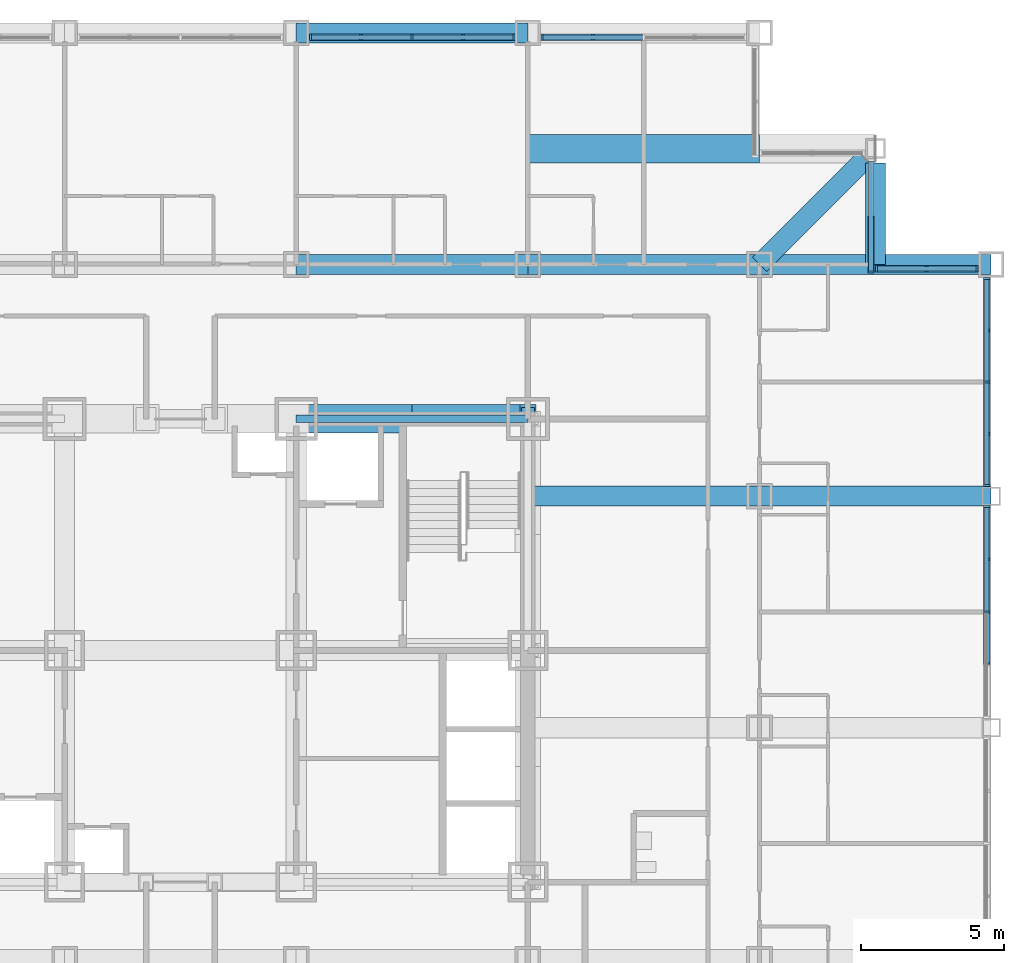
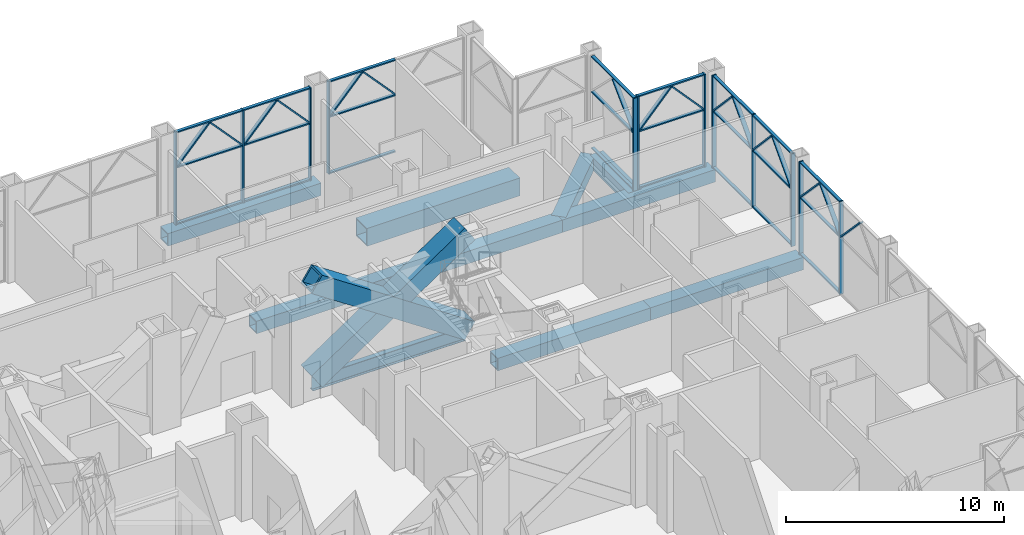
# One storey, part 8 of 26: 54 members, 10 beams, 6 elements without a shape of their own.
"""IFC4 building model written with IfcOpenShell, lengths in metres."""

from ifc_helpers import new_model, si_unit, direction, frame, origin, origin_2d, place, context, subcontext, project, spatial, rectangle, hollow_rectangle, i_section, extrude, material, material_profile, profile_set, type_object, element, aggregate, save


model = new_model("IFC4")

# Units and contexts
model_context = context("Model", 3, precision=1e-05, world=origin(), true_north=direction((0.0, 1.0)))
body_context = subcontext(model_context, "Body", "Model", "MODEL_VIEW")
ifc_project = project(units=[si_unit("LENGTHUNIT", "METRE"), si_unit("AREAUNIT", "SQUARE_METRE"), si_unit("VOLUMEUNIT", "CUBIC_METRE"), si_unit("PLANEANGLEUNIT", "RADIAN"), si_unit("MASSUNIT", "GRAM", prefix="KILO")], contexts=[model_context])

# Site, building, storey
site_placement = place(None, origin())
site = spatial("IfcSite", under=ifc_project, at=site_placement, CompositionType="ELEMENT")
building_placement = place(site_placement, origin())
building = spatial("IfcBuilding", under=site, at=building_placement, Name="Kopane Lantern Tower", CompositionType="ELEMENT")
storey_placement = place(building_placement, frame((0.0, 0.0, 98.0)))
storey = spatial("IfcBuildingStorey", under=building, at=storey_placement, Name="L24", CompositionType="ELEMENT", Elevation=98.0)

# Members
ifc_material_1 = material(Name="Steel S355JR", Category="steel")
ifc_material_profile_1 = material_profile(ifc_material_1, hollow_rectangle(XDim=1.0, YDim=1.0, WallThickness=0.10009765625, at=origin_2d()), Name="BOX 1000x1000x100")
ifc_profile_set_1 = profile_set([ifc_material_profile_1], Name="Steel S355JR")
member_type_1 = type_object("IfcMemberType", Name="BRACE BOX 1000x1000x100", PredefinedType="BRACE", material=ifc_profile_set_1)
for number, where, z_axis, x_axis, name in (
    (1, (32.39990234375, 40.5, -0.25), (0.830159256911, 0.0, 0.557526329571), (0.0, 1.0, 0.0), "Core brace L24"),
    (2, (40.5, 40.5, -0.25), (-0.830159256911, 0.0, 0.557526329571), (0.0, -1.0, 0.0), "Core brace L24"),
):
    element("IfcMember", number, at=place(storey_placement, frame(where, z_axis=z_axis, x_axis=x_axis)), inside=storey, type_object=member_type_1, Name=name, PredefinedType="BRACE", context=body_context, shape_type="SweptSolid", body=[
        extrude(hollow_rectangle(XDim=1.0, YDim=1.0, WallThickness=0.10009765625, at=origin_2d()), origin(), (0.0, 0.0, 1.0), 9.75732421875),
    ])

# Beams
ifc_material_2 = material(Name="Steel S355JR", Category="steel")
ifc_material_profile_2 = material_profile(ifc_material_2, hollow_rectangle(XDim=0.699951171875, YDim=0.699951171875, WallThickness=0.06005859375, at=origin_2d()), Name="BOX 700x700x60")
ifc_profile_set_2 = profile_set([ifc_material_profile_2], Name="Steel S355JR")
beam_type_1 = type_object("IfcBeamType", Name="CORNER TIE BEAM BOX 700x700x60", PredefinedType="BEAM", material=ifc_profile_set_2)
beam_1_placement = place(storey_placement, frame((52.29638671875, 49.596435546875, -0.60009765625), z_axis=(-0.707083429301, -0.707130132301, 0.0), x_axis=(0.707130132301, -0.707083429301, 0.0)))
element("IfcBeam", 3, at=beam_1_placement, inside=storey, type_object=beam_type_1, Name="Corner Tie Beam L24", PredefinedType="BEAM", context=body_context, shape_type="SweptSolid", body=[
    extrude(hollow_rectangle(XDim=0.699951171875, YDim=0.699951171875, WallThickness=0.06005859375, at=origin_2d()), origin(), (0.0, 0.0, 1.0), 5.2275390625),
])
ifc_material_3 = material(Name="Steel S355JR", Category="steel")
ifc_material_profile_3 = material_profile(ifc_material_3, hollow_rectangle(XDim=0.699951171875, YDim=0.699951171875, WallThickness=0.06005859375, at=origin_2d()), Name="BOX 700x700x60")
ifc_profile_set_3 = profile_set([ifc_material_profile_3], Name="Steel S355JR")
beam_type_2 = type_object("IfcBeamType", Name="EDGE BEAM BOX 700x700x60", PredefinedType="BEAM", material=ifc_profile_set_3)
beam_2_placement = place(storey_placement, frame((52.64990234375, 49.449951171875, -0.60009765625), z_axis=(0.0, -1.0, 0.0), x_axis=(1.0, 0.0, 0.0)))
element("IfcBeam", 4, at=beam_2_placement, inside=storey, type_object=beam_type_2, Name="Edge Beam L24", PredefinedType="BEAM", context=body_context, shape_type="SweptSolid", body=[
    extrude(hollow_rectangle(XDim=0.699951171875, YDim=0.699951171875, WallThickness=0.06005859375, at=origin_2d()), origin(), (0.0, 0.0, 1.0), 3.550048828125),
])
ifc_material_4 = material(Name="Steel S355JR", Category="steel")
ifc_material_profile_4 = material_profile(ifc_material_4, hollow_rectangle(XDim=0.699951171875, YDim=0.699951171875, WallThickness=0.06005859375, at=origin_2d()), Name="BOX 700x700x60")
ifc_profile_set_4 = profile_set([ifc_material_profile_4], Name="Steel S355JR")
beam_type_3 = type_object("IfcBeamType", Name="GIRDER BOX 700x700x60", PredefinedType="BEAM", material=ifc_profile_set_4)
for number, where, z_axis, x_axis, name in (
    (5, (32.39990234375, 45.89990234375, -0.60009765625), (1.0, 0.0, 0.0), (0.0, 1.0, 0.0), "Girder L24"),
    (6, (32.39990234375, 54.0, -0.60009765625), (1.0, 0.0, 0.0), (0.0, 1.0, 0.0), "Girder L24"),
    (7, (40.5, 37.800048828125, -0.60009765625), (1.0, 0.0, 0.0), (0.0, 1.0, 0.0), "Girder L24"),
    (8, (40.5, 45.89990234375, -0.60009765625), (1.0, 0.0, 0.0), (0.0, 1.0, 0.0), "Girder L24"),
):
    element("IfcBeam", number, at=place(storey_placement, frame(where, z_axis=z_axis, x_axis=x_axis)), inside=storey, type_object=beam_type_3, Name=name, PredefinedType="BEAM", context=body_context, shape_type="SweptSolid", body=[
        extrude(hollow_rectangle(XDim=0.699951171875, YDim=0.699951171875, WallThickness=0.06005859375, at=origin_2d()), origin(), (0.0, 0.0, 1.0), 8.10009765625),
    ])
for number, where, z_axis, x_axis, name in (
    (9, (48.60009765625, 37.800048828125, -0.60009765625), (1.0, 0.0, 0.0), (0.0, 1.0, 0.0), "Girder L24"),
    (10, (48.60009765625, 45.89990234375, -0.60009765625), (1.0, 0.0, 0.0), (0.0, 1.0, 0.0), "Girder L24"),
):
    element("IfcBeam", number, at=place(storey_placement, frame(where, z_axis=z_axis, x_axis=x_axis)), inside=storey, type_object=beam_type_3, Name=name, PredefinedType="BEAM", context=body_context, shape_type="SweptSolid", body=[
        extrude(hollow_rectangle(XDim=0.699951171875, YDim=0.699951171875, WallThickness=0.06005859375, at=origin_2d()), origin(), (0.0, 0.0, 1.0), 8.099853515625),
    ])
ifc_material_5 = material(Name="Steel S355JR", Category="steel")
ifc_material_profile_5 = material_profile(ifc_material_5, i_section(OverallWidth=0.2666015625, OverallDepth=0.76220703125, WebThickness=0.014404296875, FlangeThickness=0.021484375, FilletRadius=0.0166015625, at=origin_2d()), Name="UB 762x267x173")
ifc_profile_set_5 = profile_set([ifc_material_profile_5], Name="Steel S355JR")
beam_type_4 = type_object("IfcBeamType", Name="GIRDER UB 762x267x173", PredefinedType="BEAM", material=ifc_profile_set_5)
beam_3_placement = place(storey_placement, frame((32.39990234375, 40.5, -0.631103515625), z_axis=(1.0, 0.0, 0.0), x_axis=(0.0, 1.0, 0.0)))
element("IfcBeam", 11, at=beam_3_placement, inside=storey, type_object=beam_type_4, Name="Girder L24", PredefinedType="BEAM", context=body_context, shape_type="SweptSolid", body=[
    extrude(i_section(OverallWidth=0.2666015625, OverallDepth=0.76220703125, WebThickness=0.014404296875, FlangeThickness=0.021484375, FilletRadius=0.0166015625, at=origin_2d()), origin(), (0.0, 0.0, 1.0), 8.10009765625),
])

# Curtain wall, members
ifc_material_6 = material(Name="Aluminium and clear glass", Category="aluminium")
curtain_wall_type = type_object("IfcCurtainWallType", Name="CURTAIN WALL CW3 SKY LOBBY", PredefinedType="USERDEFINED", material=ifc_material_6)
curtain_wall_1_placement = place(storey_placement, origin())
curtain_wall_1 = element("IfcCurtainWall", 12, at=curtain_wall_1_placement, inside=storey, type_object=curtain_wall_type, Name="Curtain wall CW3 E L24", ObjectType="CURTAIN WALL", PredefinedType="USERDEFINED")
ifc_material_7 = material(Name="Aluminium", Category="aluminium")
ifc_material_profile_6 = material_profile(ifc_material_7, rectangle(XDim=0.070068359375, YDim=0.22509765625, at=origin_2d()), Name="AL 70x225")
ifc_profile_set_6 = profile_set([ifc_material_profile_6], Name="Aluminium")
member_type_2 = type_object("IfcMemberType", Name="MULLION CW3-M 70x225", PredefinedType="MULLION", material=ifc_profile_set_6)
member_1_placement = place(storey_placement, frame((56.550048828125, 33.75, 0.0), z_axis=(0.0, 0.0, 1.0), x_axis=(0.0, 1.0, 0.0)))
member_1 = element("IfcMember", 13, at=member_1_placement, type_object=member_type_2, Name="CW3 mullion 2", PredefinedType="MULLION", context=body_context, shape_type="SweptSolid", body=[
    extrude(rectangle(XDim=0.070068359375, YDim=0.22509765625, at=origin_2d()), origin(), (0.0, 0.0, 1.0), 5.18994140625),
])
member_2_placement = place(storey_placement, frame((56.550048828125, 37.43505859375, 0.0), z_axis=(0.0, 0.0, 1.0), x_axis=(0.0, 1.0, 0.0)))
member_2 = element("IfcMember", 14, at=member_2_placement, type_object=member_type_2, Name="CW3 mullion 3", PredefinedType="MULLION", context=body_context, shape_type="SweptSolid", body=[
    extrude(rectangle(XDim=0.070068359375, YDim=0.22509765625, at=origin_2d()), origin(), (0.0, 0.0, 1.0), 5.18994140625),
])
member_3_placement = place(storey_placement, frame((56.550048828125, 33.689697265625, 3.2490234375), z_axis=(0.0, -0.689214992379, 0.724556895129), x_axis=(0.0, 0.724556895129, 0.689214992379)))
member_3 = element("IfcMember", 15, at=member_3_placement, type_object=member_type_2, Name="CW3 lancet mullion 1R", PredefinedType="MULLION", context=body_context, shape_type="SweptSolid", body=[
    extrude(rectangle(XDim=0.070068359375, YDim=0.22509765625, at=origin_2d()), origin(), (0.0, 0.0, 1.0), 2.549072265625),
])
member_4_placement = place(storey_placement, frame((56.550048828125, 33.810302734375, 3.2490234375), z_axis=(0.0, 0.689214992379, 0.724556895129), x_axis=(0.0, -0.724556895129, 0.689214992379)))
member_4 = element("IfcMember", 16, at=member_4_placement, type_object=member_type_2, Name="CW3 lancet mullion 2L", PredefinedType="MULLION", context=body_context, shape_type="SweptSolid", body=[
    extrude(rectangle(XDim=0.070068359375, YDim=0.22509765625, at=origin_2d()), origin(), (0.0, 0.0, 1.0), 2.549072265625),
])
member_5_placement = place(storey_placement, frame((56.550048828125, 37.37451171875, 3.2490234375), z_axis=(0.0, -0.689164705863, 0.724604725483), x_axis=(0.0, 0.724604725483, 0.689164705863)))
member_5 = element("IfcMember", 17, at=member_5_placement, type_object=member_type_2, Name="CW3 lancet mullion 2R", PredefinedType="MULLION", context=body_context, shape_type="SweptSolid", body=[
    extrude(rectangle(XDim=0.070068359375, YDim=0.22509765625, at=origin_2d()), origin(), (0.0, 0.0, 1.0), 2.548828125),
])

curtain_wall_2_placement = place(storey_placement, origin())
curtain_wall_2 = element("IfcCurtainWall", 18, at=curtain_wall_2_placement, inside=storey, type_object=curtain_wall_type, Name="Curtain wall CW3 E L24", ObjectType="CURTAIN WALL", PredefinedType="USERDEFINED")
member_6_placement = place(storey_placement, frame((56.550048828125, 38.1650390625, 0.0), z_axis=(0.0, 0.0, 1.0), x_axis=(0.0, 1.0, 0.0)))
member_6 = element("IfcMember", 19, at=member_6_placement, type_object=member_type_2, Name="CW3 mullion 1", PredefinedType="MULLION", context=body_context, shape_type="SweptSolid", body=[
    extrude(rectangle(XDim=0.070068359375, YDim=0.22509765625, at=origin_2d()), origin(), (0.0, 0.0, 1.0), 5.18994140625),
])
member_7_placement = place(storey_placement, frame((56.550048828125, 41.78759765625, 0.0), z_axis=(0.0, 0.0, 1.0), x_axis=(0.0, 1.0, 0.0)))
member_7 = element("IfcMember", 20, at=member_7_placement, type_object=member_type_2, Name="CW3 mullion 2", PredefinedType="MULLION", context=body_context, shape_type="SweptSolid", body=[
    extrude(rectangle(XDim=0.070068359375, YDim=0.22509765625, at=origin_2d()), origin(), (0.0, 0.0, 1.0), 5.18994140625),
])
member_8_placement = place(storey_placement, frame((56.550048828125, 45.409912109375, 0.0), z_axis=(0.0, 0.0, 1.0), x_axis=(0.0, 1.0, 0.0)))
member_8 = element("IfcMember", 21, at=member_8_placement, type_object=member_type_2, Name="CW3 mullion 3", PredefinedType="MULLION", context=body_context, shape_type="SweptSolid", body=[
    extrude(rectangle(XDim=0.070068359375, YDim=0.22509765625, at=origin_2d()), origin(), (0.0, 0.0, 1.0), 5.18994140625),
])
member_9_placement = place(storey_placement, frame((56.550048828125, 38.2255859375, 3.248779296875), z_axis=(0.0, 0.682497183228, 0.73088822325), x_axis=(0.0, -0.73088822325, 0.682497183228)))
member_9 = element("IfcMember", 22, at=member_9_placement, type_object=member_type_2, Name="CW3 lancet mullion 1L", PredefinedType="MULLION", context=body_context, shape_type="SweptSolid", body=[
    extrude(rectangle(XDim=0.070068359375, YDim=0.22509765625, at=origin_2d()), origin(), (0.0, 0.0, 1.0), 2.527587890625),
])
member_10_placement = place(storey_placement, frame((56.550048828125, 41.726806640625, 3.248779296875), z_axis=(0.0, -0.682497183228, 0.73088822325), x_axis=(0.0, 0.73088822325, 0.682497183228)))
member_10 = element("IfcMember", 23, at=member_10_placement, type_object=member_type_2, Name="CW3 lancet mullion 1R", PredefinedType="MULLION", context=body_context, shape_type="SweptSolid", body=[
    extrude(rectangle(XDim=0.070068359375, YDim=0.22509765625, at=origin_2d()), origin(), (0.0, 0.0, 1.0), 2.527587890625),
])
member_11_placement = place(storey_placement, frame((56.550048828125, 41.84814453125, 3.248779296875), z_axis=(0.0, 0.682497183228, 0.73088822325), x_axis=(0.0, -0.73088822325, 0.682497183228)))
member_11 = element("IfcMember", 24, at=member_11_placement, type_object=member_type_2, Name="CW3 lancet mullion 2L", PredefinedType="MULLION", context=body_context, shape_type="SweptSolid", body=[
    extrude(rectangle(XDim=0.070068359375, YDim=0.22509765625, at=origin_2d()), origin(), (0.0, 0.0, 1.0), 2.527587890625),
])
member_12_placement = place(storey_placement, frame((56.550048828125, 45.349365234375, 3.248779296875), z_axis=(0.0, -0.682497183228, 0.73088822325), x_axis=(0.0, 0.73088822325, 0.682497183228)))
member_12 = element("IfcMember", 25, at=member_12_placement, type_object=member_type_2, Name="CW3 lancet mullion 2R", PredefinedType="MULLION", context=body_context, shape_type="SweptSolid", body=[
    extrude(rectangle(XDim=0.070068359375, YDim=0.22509765625, at=origin_2d()), origin(), (0.0, 0.0, 1.0), 2.527587890625),
])

curtain_wall_3_placement = place(storey_placement, origin())
curtain_wall_3 = element("IfcCurtainWall", 26, at=curtain_wall_3_placement, inside=storey, type_object=curtain_wall_type, Name="Curtain wall CW3 N L24", ObjectType="CURTAIN WALL", PredefinedType="USERDEFINED")
member_13_placement = place(storey_placement, frame((56.2099609375, 45.75, 0.0), z_axis=(0.0, 0.0, 1.0), x_axis=(-1.0, 0.0, 0.0)))
member_13 = element("IfcMember", 27, at=member_13_placement, type_object=member_type_2, Name="CW3 mullion 1", PredefinedType="MULLION", context=body_context, shape_type="SweptSolid", body=[
    extrude(rectangle(XDim=0.070068359375, YDim=0.22509765625, at=origin_2d()), origin(), (0.0, 0.0, 1.0), 5.18994140625),
])
member_14_placement = place(storey_placement, frame((52.68505859375, 45.75, 0.0), z_axis=(0.0, 0.0, 1.0), x_axis=(-1.0, 0.0, 0.0)))
member_14 = element("IfcMember", 28, at=member_14_placement, type_object=member_type_2, Name="CW3 mullion 2", PredefinedType="MULLION", context=body_context, shape_type="SweptSolid", body=[
    extrude(rectangle(XDim=0.070068359375, YDim=0.22509765625, at=origin_2d()), origin(), (0.0, 0.0, 1.0), 5.18994140625),
])
member_15_placement = place(storey_placement, frame((56.149169921875, 45.75, 3.24853515625), z_axis=(-0.671766235341, 0.0, 0.740763204443), x_axis=(0.740763204443, 0.0, 0.671766235341)))
member_15 = element("IfcMember", 29, at=member_15_placement, type_object=member_type_2, Name="CW3 lancet mullion 1L", PredefinedType="MULLION", context=body_context, shape_type="SweptSolid", body=[
    extrude(rectangle(XDim=0.070068359375, YDim=0.22509765625, at=origin_2d()), origin(), (0.0, 0.0, 1.0), 2.49462890625),
])
member_16_placement = place(storey_placement, frame((52.745849609375, 45.75, 3.24853515625), z_axis=(0.671766235341, 0.0, 0.740763204443), x_axis=(-0.740763204443, 0.0, 0.671766235341)))
member_16 = element("IfcMember", 30, at=member_16_placement, type_object=member_type_2, Name="CW3 lancet mullion 1R", PredefinedType="MULLION", context=body_context, shape_type="SweptSolid", body=[
    extrude(rectangle(XDim=0.070068359375, YDim=0.22509765625, at=origin_2d()), origin(), (0.0, 0.0, 1.0), 2.49462890625),
])

curtain_wall_4_placement = place(storey_placement, origin())
curtain_wall_4 = element("IfcCurtainWall", 31, at=curtain_wall_4_placement, inside=storey, type_object=curtain_wall_type, Name="Curtain wall CW3 E L24", ObjectType="CURTAIN WALL", PredefinedType="USERDEFINED")
member_17_placement = place(storey_placement, frame((52.5, 45.635009765625, 0.0), z_axis=(0.0, 0.0, 1.0), x_axis=(0.0, 1.0, 0.0)))
member_17 = element("IfcMember", 32, at=member_17_placement, type_object=member_type_2, Name="CW3 mullion 1", PredefinedType="MULLION", context=body_context, shape_type="SweptSolid", body=[
    extrude(rectangle(XDim=0.070068359375, YDim=0.22509765625, at=origin_2d()), origin(), (0.0, 0.0, 1.0), 5.18994140625),
])
member_18_placement = place(storey_placement, frame((52.5, 45.694580078125, 3.25), z_axis=(0.0, 0.713429949389, 0.700726556736), x_axis=(0.0, -0.700726556736, 0.713429949389)))
member_18 = element("IfcMember", 33, at=member_18_placement, type_object=member_type_2, Name="CW3 lancet mullion 1L", PredefinedType="MULLION", context=body_context, shape_type="SweptSolid", body=[
    extrude(rectangle(XDim=0.070068359375, YDim=0.22509765625, at=origin_2d()), origin(), (0.0, 0.0, 1.0), 2.633056640625),
])

curtain_wall_5_placement = place(storey_placement, origin())
curtain_wall_5 = element("IfcCurtainWall", 34, at=curtain_wall_5_placement, inside=storey, type_object=curtain_wall_type, Name="Curtain wall CW3 N L24", ObjectType="CURTAIN WALL", PredefinedType="USERDEFINED")
member_19_placement = place(storey_placement, frame((40.989990234375, 53.85009765625, 0.0), z_axis=(0.0, 0.0, 1.0), x_axis=(-1.0, 0.0, 0.0)))
member_19 = element("IfcMember", 35, at=member_19_placement, type_object=member_type_2, Name="CW3 mullion 3", PredefinedType="MULLION", context=body_context, shape_type="SweptSolid", body=[
    extrude(rectangle(XDim=0.070068359375, YDim=0.22509765625, at=origin_2d()), origin(), (0.0, 0.0, 1.0), 5.18994140625),
])
member_20_placement = place(storey_placement, frame((44.4892578125, 53.85009765625, 3.24853515625), z_axis=(-0.675605527519, 0.0, 0.737263298413), x_axis=(0.737263298413, 0.0, 0.675605527519)))
member_20 = element("IfcMember", 36, at=member_20_placement, type_object=member_type_2, Name="CW3 lancet mullion 2L", PredefinedType="MULLION", context=body_context, shape_type="SweptSolid", body=[
    extrude(rectangle(XDim=0.070068359375, YDim=0.22509765625, at=origin_2d()), origin(), (0.0, 0.0, 1.0), 2.50634765625),
])
member_21_placement = place(storey_placement, frame((41.05078125, 53.85009765625, 3.24853515625), z_axis=(0.675605527519, 0.0, 0.737263298413), x_axis=(-0.737263298413, 0.0, 0.675605527519)))
member_21 = element("IfcMember", 37, at=member_21_placement, type_object=member_type_2, Name="CW3 lancet mullion 2R", PredefinedType="MULLION", context=body_context, shape_type="SweptSolid", body=[
    extrude(rectangle(XDim=0.070068359375, YDim=0.22509765625, at=origin_2d()), origin(), (0.0, 0.0, 1.0), 2.50634765625),
])

curtain_wall_6_placement = place(storey_placement, origin())
curtain_wall_6 = element("IfcCurtainWall", 38, at=curtain_wall_6_placement, inside=storey, type_object=curtain_wall_type, Name="Curtain wall CW3 N L24", ObjectType="CURTAIN WALL", PredefinedType="USERDEFINED")
member_22_placement = place(storey_placement, frame((40.010009765625, 53.85009765625, 0.0), z_axis=(0.0, 0.0, 1.0), x_axis=(-1.0, 0.0, 0.0)))
member_22 = element("IfcMember", 39, at=member_22_placement, type_object=member_type_2, Name="CW3 mullion 1", PredefinedType="MULLION", context=body_context, shape_type="SweptSolid", body=[
    extrude(rectangle(XDim=0.070068359375, YDim=0.22509765625, at=origin_2d()), origin(), (0.0, 0.0, 1.0), 5.18994140625),
])
member_23_placement = place(storey_placement, frame((36.449951171875, 53.85009765625, 0.0), z_axis=(0.0, 0.0, 1.0), x_axis=(-1.0, 0.0, 0.0)))
member_23 = element("IfcMember", 40, at=member_23_placement, type_object=member_type_2, Name="CW3 mullion 2", PredefinedType="MULLION", context=body_context, shape_type="SweptSolid", body=[
    extrude(rectangle(XDim=0.070068359375, YDim=0.22509765625, at=origin_2d()), origin(), (0.0, 0.0, 1.0), 5.18994140625),
])
member_24_placement = place(storey_placement, frame((32.889892578125, 53.85009765625, 0.0), z_axis=(0.0, 0.0, 1.0), x_axis=(-1.0, 0.0, 0.0)))
member_24 = element("IfcMember", 41, at=member_24_placement, type_object=member_type_2, Name="CW3 mullion 3", PredefinedType="MULLION", context=body_context, shape_type="SweptSolid", body=[
    extrude(rectangle(XDim=0.070068359375, YDim=0.22509765625, at=origin_2d()), origin(), (0.0, 0.0, 1.0), 5.18994140625),
])
member_25_placement = place(storey_placement, frame((39.94921875, 53.85009765625, 3.24853515625), z_axis=(-0.675605527519, 0.0, 0.737263298413), x_axis=(0.737263298413, 0.0, 0.675605527519)))
member_25 = element("IfcMember", 42, at=member_25_placement, type_object=member_type_2, Name="CW3 lancet mullion 1L", PredefinedType="MULLION", context=body_context, shape_type="SweptSolid", body=[
    extrude(rectangle(XDim=0.070068359375, YDim=0.22509765625, at=origin_2d()), origin(), (0.0, 0.0, 1.0), 2.50634765625),
])
member_26_placement = place(storey_placement, frame((36.5107421875, 53.85009765625, 3.24853515625), z_axis=(0.675605527519, 0.0, 0.737263298413), x_axis=(-0.737263298413, 0.0, 0.675605527519)))
member_26 = element("IfcMember", 43, at=member_26_placement, type_object=member_type_2, Name="CW3 lancet mullion 1R", PredefinedType="MULLION", context=body_context, shape_type="SweptSolid", body=[
    extrude(rectangle(XDim=0.070068359375, YDim=0.22509765625, at=origin_2d()), origin(), (0.0, 0.0, 1.0), 2.50634765625),
])
member_27_placement = place(storey_placement, frame((36.38916015625, 53.85009765625, 3.24853515625), z_axis=(-0.675605527519, 0.0, 0.737263298413), x_axis=(0.737263298413, 0.0, 0.675605527519)))
member_27 = element("IfcMember", 44, at=member_27_placement, type_object=member_type_2, Name="CW3 lancet mullion 2L", PredefinedType="MULLION", context=body_context, shape_type="SweptSolid", body=[
    extrude(rectangle(XDim=0.070068359375, YDim=0.22509765625, at=origin_2d()), origin(), (0.0, 0.0, 1.0), 2.50634765625),
])
member_28_placement = place(storey_placement, frame((32.95068359375, 53.85009765625, 3.24853515625), z_axis=(0.675658467828, 0.0, 0.737214782036), x_axis=(-0.737214782036, 0.0, 0.675658467828)))
member_28 = element("IfcMember", 45, at=member_28_placement, type_object=member_type_2, Name="CW3 lancet mullion 2R", PredefinedType="MULLION", context=body_context, shape_type="SweptSolid", body=[
    extrude(rectangle(XDim=0.070068359375, YDim=0.22509765625, at=origin_2d()), origin(), (0.0, 0.0, 1.0), 2.506591796875),
])

# Beam
ifc_material_8 = material(Name="Steel S355JR", Category="steel")
ifc_material_profile_7 = material_profile(ifc_material_8, hollow_rectangle(XDim=1.0, YDim=1.0, WallThickness=0.06005859375, at=origin_2d()), Name="BOX 1000x1000x60")
ifc_profile_set_7 = profile_set([ifc_material_profile_7], Name="Steel S355JR")
beam_type_5 = type_object("IfcBeamType", Name="TRANSFER BEAM BOX 1000x1000x60", PredefinedType="BEAM", material=ifc_profile_set_7)
beam_4_placement = place(storey_placement, frame((48.60009765625, 49.949951171875, -0.75), z_axis=(-1.0, 0.0, 0.0), x_axis=(0.0, -1.0, 0.0)))
element("IfcBeam", 46, at=beam_4_placement, inside=storey, type_object=beam_type_5, Name="Transfer Beam L24", PredefinedType="BEAM", context=body_context, shape_type="SweptSolid", body=[
    extrude(hollow_rectangle(XDim=1.0, YDim=1.0, WallThickness=0.06005859375, at=origin_2d()), origin(), (0.0, 0.0, 1.0), 8.10009765625),
])

# Member
ifc_material_9 = material(Name="Aluminium", Category="aluminium")
ifc_material_profile_8 = material_profile(ifc_material_9, rectangle(XDim=0.159912109375, YDim=0.070068359375, at=origin_2d()), Name="AL 160x70")
ifc_profile_set_8 = profile_set([ifc_material_profile_8], Name="Aluminium")
member_type_3 = type_object("IfcMemberType", Name="TRANSOM CW3-T 70x160", PredefinedType="USERDEFINED", material=ifc_profile_set_8)
member_29_placement = place(storey_placement, frame((56.550048828125, 33.784912109375, 0.034912109375), z_axis=(0.0, 1.0, 0.0), x_axis=(-1.0, 0.0, 0.0)))
member_29 = element("IfcMember", 47, at=member_29_placement, type_object=member_type_3, Name="CW3 transom 2.1", ObjectType="TRANSOM", PredefinedType="USERDEFINED", context=body_context, shape_type="SweptSolid", body=[
    extrude(rectangle(XDim=0.159912109375, YDim=0.070068359375, at=origin_2d()), origin(), (0.0, 0.0, 1.0), 3.614990234375),
])

member_30_placement = place(storey_placement, frame((56.550048828125, 33.784912109375, 3.18994140625), z_axis=(0.0, 1.0, 0.0), x_axis=(-1.0, 0.0, 0.0)))
member_30 = element("IfcMember", 48, at=member_30_placement, type_object=member_type_3, Name="CW3 transom 2.2", ObjectType="TRANSOM", PredefinedType="USERDEFINED", context=body_context, shape_type="SweptSolid", body=[
    extrude(rectangle(XDim=0.159912109375, YDim=0.070068359375, at=origin_2d()), origin(), (0.0, 0.0, 1.0), 3.614990234375),
])

member_31_placement = place(storey_placement, frame((56.550048828125, 33.784912109375, 5.155029296875), z_axis=(0.0, 1.0, 0.0), x_axis=(-1.0, 0.0, 0.0)))
member_31 = element("IfcMember", 49, at=member_31_placement, type_object=member_type_3, Name="CW3 transom 2.3", ObjectType="TRANSOM", PredefinedType="USERDEFINED", context=body_context, shape_type="SweptSolid", body=[
    extrude(rectangle(XDim=0.159912109375, YDim=0.070068359375, at=origin_2d()), origin(), (0.0, 0.0, 1.0), 3.614990234375),
])

aggregate(curtain_wall_1, [member_1, member_2, member_29, member_30, member_31, member_3, member_4, member_5])

member_32_placement = place(storey_placement, frame((56.550048828125, 38.199951171875, 0.034912109375), z_axis=(0.0, 1.0, 0.0), x_axis=(-1.0, 0.0, 0.0)))
member_32 = element("IfcMember", 50, at=member_32_placement, type_object=member_type_3, Name="CW3 transom 1.1", ObjectType="TRANSOM", PredefinedType="USERDEFINED", context=body_context, shape_type="SweptSolid", body=[
    extrude(rectangle(XDim=0.159912109375, YDim=0.070068359375, at=origin_2d()), origin(), (0.0, 0.0, 1.0), 3.552490234375),
])

member_33_placement = place(storey_placement, frame((56.550048828125, 38.199951171875, 3.18994140625), z_axis=(0.0, 1.0, 0.0), x_axis=(-1.0, 0.0, 0.0)))
member_33 = element("IfcMember", 51, at=member_33_placement, type_object=member_type_3, Name="CW3 transom 1.2", ObjectType="TRANSOM", PredefinedType="USERDEFINED", context=body_context, shape_type="SweptSolid", body=[
    extrude(rectangle(XDim=0.159912109375, YDim=0.070068359375, at=origin_2d()), origin(), (0.0, 0.0, 1.0), 3.552490234375),
])

member_34_placement = place(storey_placement, frame((56.550048828125, 38.199951171875, 5.155029296875), z_axis=(0.0, 1.0, 0.0), x_axis=(-1.0, 0.0, 0.0)))
member_34 = element("IfcMember", 52, at=member_34_placement, type_object=member_type_3, Name="CW3 transom 1.3", ObjectType="TRANSOM", PredefinedType="USERDEFINED", context=body_context, shape_type="SweptSolid", body=[
    extrude(rectangle(XDim=0.159912109375, YDim=0.070068359375, at=origin_2d()), origin(), (0.0, 0.0, 1.0), 3.552490234375),
])

member_35_placement = place(storey_placement, frame((56.550048828125, 41.822509765625, 0.034912109375), z_axis=(0.0, 1.0, 0.0), x_axis=(-1.0, 0.0, 0.0)))
member_35 = element("IfcMember", 53, at=member_35_placement, type_object=member_type_3, Name="CW3 transom 2.1", ObjectType="TRANSOM", PredefinedType="USERDEFINED", context=body_context, shape_type="SweptSolid", body=[
    extrude(rectangle(XDim=0.159912109375, YDim=0.070068359375, at=origin_2d()), origin(), (0.0, 0.0, 1.0), 3.552490234375),
])

member_36_placement = place(storey_placement, frame((56.550048828125, 41.822509765625, 3.18994140625), z_axis=(0.0, 1.0, 0.0), x_axis=(-1.0, 0.0, 0.0)))
member_36 = element("IfcMember", 54, at=member_36_placement, type_object=member_type_3, Name="CW3 transom 2.2", ObjectType="TRANSOM", PredefinedType="USERDEFINED", context=body_context, shape_type="SweptSolid", body=[
    extrude(rectangle(XDim=0.159912109375, YDim=0.070068359375, at=origin_2d()), origin(), (0.0, 0.0, 1.0), 3.552490234375),
])

member_37_placement = place(storey_placement, frame((56.550048828125, 41.822509765625, 5.155029296875), z_axis=(0.0, 1.0, 0.0), x_axis=(-1.0, 0.0, 0.0)))
member_37 = element("IfcMember", 55, at=member_37_placement, type_object=member_type_3, Name="CW3 transom 2.3", ObjectType="TRANSOM", PredefinedType="USERDEFINED", context=body_context, shape_type="SweptSolid", body=[
    extrude(rectangle(XDim=0.159912109375, YDim=0.070068359375, at=origin_2d()), origin(), (0.0, 0.0, 1.0), 3.552490234375),
])

aggregate(curtain_wall_2, [member_6, member_7, member_8, member_32, member_33, member_34, member_35, member_36, member_37, member_9, member_10, member_11, member_12])

member_38_placement = place(storey_placement, frame((56.175048828125, 45.75, 0.034912109375), z_axis=(-1.0, 0.0, 0.0), x_axis=(0.0, -1.0, 0.0)))
member_38 = element("IfcMember", 56, at=member_38_placement, type_object=member_type_3, Name="CW3 transom 1.1", ObjectType="TRANSOM", PredefinedType="USERDEFINED", context=body_context, shape_type="SweptSolid", body=[
    extrude(rectangle(XDim=0.159912109375, YDim=0.070068359375, at=origin_2d()), origin(), (0.0, 0.0, 1.0), 3.455078125),
])

member_39_placement = place(storey_placement, frame((56.175048828125, 45.75, 3.18994140625), z_axis=(-1.0, 0.0, 0.0), x_axis=(0.0, -1.0, 0.0)))
member_39 = element("IfcMember", 57, at=member_39_placement, type_object=member_type_3, Name="CW3 transom 1.2", ObjectType="TRANSOM", PredefinedType="USERDEFINED", context=body_context, shape_type="SweptSolid", body=[
    extrude(rectangle(XDim=0.159912109375, YDim=0.070068359375, at=origin_2d()), origin(), (0.0, 0.0, 1.0), 3.455078125),
])

member_40_placement = place(storey_placement, frame((56.175048828125, 45.75, 5.155029296875), z_axis=(-1.0, 0.0, 0.0), x_axis=(0.0, -1.0, 0.0)))
member_40 = element("IfcMember", 58, at=member_40_placement, type_object=member_type_3, Name="CW3 transom 1.3", ObjectType="TRANSOM", PredefinedType="USERDEFINED", context=body_context, shape_type="SweptSolid", body=[
    extrude(rectangle(XDim=0.159912109375, YDim=0.070068359375, at=origin_2d()), origin(), (0.0, 0.0, 1.0), 3.455078125),
])

aggregate(curtain_wall_3, [member_13, member_14, member_38, member_39, member_40, member_15, member_16])

member_41_placement = place(storey_placement, frame((52.5, 45.669921875, 0.034912109375), z_axis=(0.0, 1.0, 0.0), x_axis=(-1.0, 0.0, 0.0)))
member_41 = element("IfcMember", 59, at=member_41_placement, type_object=member_type_3, Name="CW3 transom 1.1", ObjectType="TRANSOM", PredefinedType="USERDEFINED", context=body_context, shape_type="SweptSolid", body=[
    extrude(rectangle(XDim=0.159912109375, YDim=0.070068359375, at=origin_2d()), origin(), (0.0, 0.0, 1.0), 3.85498046875),
])

member_42_placement = place(storey_placement, frame((52.5, 45.669921875, 3.18994140625), z_axis=(0.0, 1.0, 0.0), x_axis=(-1.0, 0.0, 0.0)))
member_42 = element("IfcMember", 60, at=member_42_placement, type_object=member_type_3, Name="CW3 transom 1.2", ObjectType="TRANSOM", PredefinedType="USERDEFINED", context=body_context, shape_type="SweptSolid", body=[
    extrude(rectangle(XDim=0.159912109375, YDim=0.070068359375, at=origin_2d()), origin(), (0.0, 0.0, 1.0), 3.85498046875),
])

member_43_placement = place(storey_placement, frame((52.5, 45.669921875, 5.155029296875), z_axis=(0.0, 1.0, 0.0), x_axis=(-1.0, 0.0, 0.0)))
member_43 = element("IfcMember", 61, at=member_43_placement, type_object=member_type_3, Name="CW3 transom 1.3", ObjectType="TRANSOM", PredefinedType="USERDEFINED", context=body_context, shape_type="SweptSolid", body=[
    extrude(rectangle(XDim=0.159912109375, YDim=0.070068359375, at=origin_2d()), origin(), (0.0, 0.0, 1.0), 3.85498046875),
])

aggregate(curtain_wall_4, [member_17, member_41, member_42, member_43, member_18])

member_44_placement = place(storey_placement, frame((44.514892578125, 53.85009765625, 0.034912109375), z_axis=(-1.0, 0.0, 0.0), x_axis=(0.0, -1.0, 0.0)))
member_44 = element("IfcMember", 62, at=member_44_placement, type_object=member_type_3, Name="CW3 transom 2.1", ObjectType="TRANSOM", PredefinedType="USERDEFINED", context=body_context, shape_type="SweptSolid", body=[
    extrude(rectangle(XDim=0.159912109375, YDim=0.070068359375, at=origin_2d()), origin(), (0.0, 0.0, 1.0), 3.489990234375),
])

member_45_placement = place(storey_placement, frame((44.514892578125, 53.85009765625, 3.18994140625), z_axis=(-1.0, 0.0, 0.0), x_axis=(0.0, -1.0, 0.0)))
member_45 = element("IfcMember", 63, at=member_45_placement, type_object=member_type_3, Name="CW3 transom 2.2", ObjectType="TRANSOM", PredefinedType="USERDEFINED", context=body_context, shape_type="SweptSolid", body=[
    extrude(rectangle(XDim=0.159912109375, YDim=0.070068359375, at=origin_2d()), origin(), (0.0, 0.0, 1.0), 3.489990234375),
])

member_46_placement = place(storey_placement, frame((44.514892578125, 53.85009765625, 5.155029296875), z_axis=(-1.0, 0.0, 0.0), x_axis=(0.0, -1.0, 0.0)))
member_46 = element("IfcMember", 64, at=member_46_placement, type_object=member_type_3, Name="CW3 transom 2.3", ObjectType="TRANSOM", PredefinedType="USERDEFINED", context=body_context, shape_type="SweptSolid", body=[
    extrude(rectangle(XDim=0.159912109375, YDim=0.070068359375, at=origin_2d()), origin(), (0.0, 0.0, 1.0), 3.489990234375),
])

aggregate(curtain_wall_5, [member_19, member_44, member_45, member_46, member_20, member_21])

member_47_placement = place(storey_placement, frame((39.97509765625, 53.85009765625, 0.034912109375), z_axis=(-1.0, 0.0, 0.0), x_axis=(0.0, -1.0, 0.0)))
member_47 = element("IfcMember", 65, at=member_47_placement, type_object=member_type_3, Name="CW3 transom 1.1", ObjectType="TRANSOM", PredefinedType="USERDEFINED", context=body_context, shape_type="SweptSolid", body=[
    extrude(rectangle(XDim=0.159912109375, YDim=0.070068359375, at=origin_2d()), origin(), (0.0, 0.0, 1.0), 3.489990234375),
])

member_48_placement = place(storey_placement, frame((39.97509765625, 53.85009765625, 3.18994140625), z_axis=(-1.0, 0.0, 0.0), x_axis=(0.0, -1.0, 0.0)))
member_48 = element("IfcMember", 66, at=member_48_placement, type_object=member_type_3, Name="CW3 transom 1.2", ObjectType="TRANSOM", PredefinedType="USERDEFINED", context=body_context, shape_type="SweptSolid", body=[
    extrude(rectangle(XDim=0.159912109375, YDim=0.070068359375, at=origin_2d()), origin(), (0.0, 0.0, 1.0), 3.489990234375),
])

member_49_placement = place(storey_placement, frame((39.97509765625, 53.85009765625, 5.155029296875), z_axis=(-1.0, 0.0, 0.0), x_axis=(0.0, -1.0, 0.0)))
member_49 = element("IfcMember", 67, at=member_49_placement, type_object=member_type_3, Name="CW3 transom 1.3", ObjectType="TRANSOM", PredefinedType="USERDEFINED", context=body_context, shape_type="SweptSolid", body=[
    extrude(rectangle(XDim=0.159912109375, YDim=0.070068359375, at=origin_2d()), origin(), (0.0, 0.0, 1.0), 3.489990234375),
])

member_50_placement = place(storey_placement, frame((36.4150390625, 53.85009765625, 0.034912109375), z_axis=(-1.0, 0.0, 0.0), x_axis=(0.0, -1.0, 0.0)))
member_50 = element("IfcMember", 68, at=member_50_placement, type_object=member_type_3, Name="CW3 transom 2.1", ObjectType="TRANSOM", PredefinedType="USERDEFINED", context=body_context, shape_type="SweptSolid", body=[
    extrude(rectangle(XDim=0.159912109375, YDim=0.070068359375, at=origin_2d()), origin(), (0.0, 0.0, 1.0), 3.489990234375),
])

member_51_placement = place(storey_placement, frame((36.4150390625, 53.85009765625, 3.18994140625), z_axis=(-1.0, 0.0, 0.0), x_axis=(0.0, -1.0, 0.0)))
member_51 = element("IfcMember", 69, at=member_51_placement, type_object=member_type_3, Name="CW3 transom 2.2", ObjectType="TRANSOM", PredefinedType="USERDEFINED", context=body_context, shape_type="SweptSolid", body=[
    extrude(rectangle(XDim=0.159912109375, YDim=0.070068359375, at=origin_2d()), origin(), (0.0, 0.0, 1.0), 3.489990234375),
])

member_52_placement = place(storey_placement, frame((36.4150390625, 53.85009765625, 5.155029296875), z_axis=(-1.0, 0.0, 0.0), x_axis=(0.0, -1.0, 0.0)))
member_52 = element("IfcMember", 70, at=member_52_placement, type_object=member_type_3, Name="CW3 transom 2.3", ObjectType="TRANSOM", PredefinedType="USERDEFINED", context=body_context, shape_type="SweptSolid", body=[
    extrude(rectangle(XDim=0.159912109375, YDim=0.070068359375, at=origin_2d()), origin(), (0.0, 0.0, 1.0), 3.489990234375),
])

aggregate(curtain_wall_6, [member_22, member_23, member_24, member_47, member_48, member_49, member_50, member_51, member_52, member_25, member_26, member_27, member_28])

save(model, "model.ifc")
